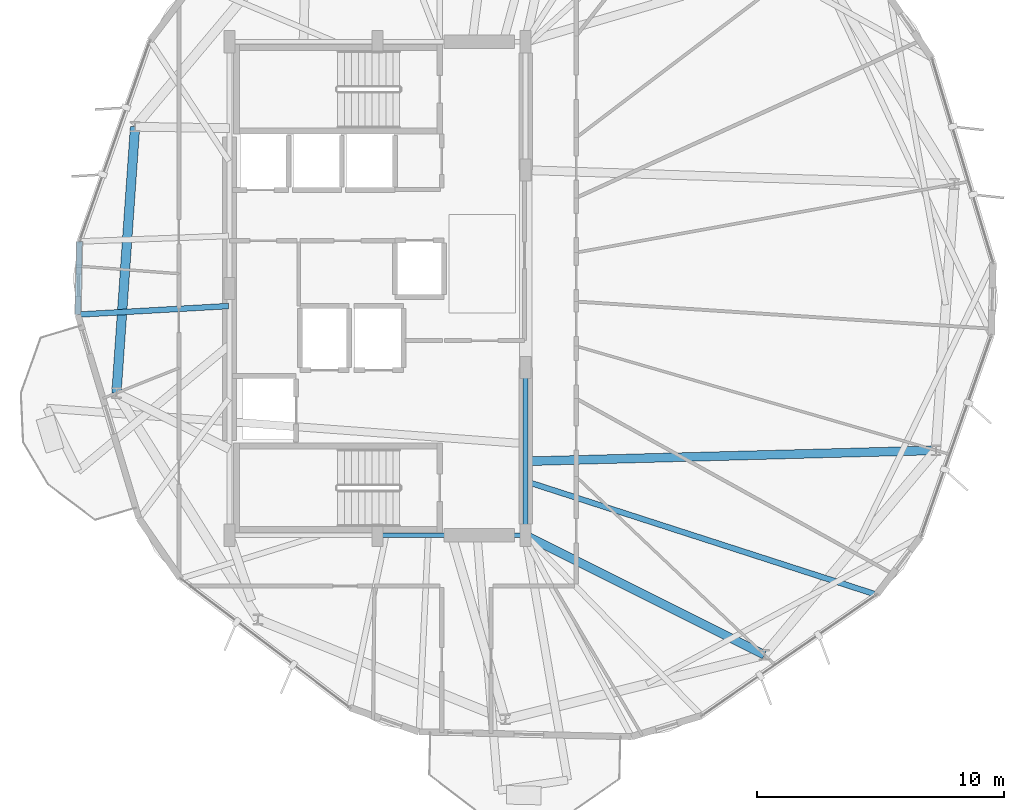
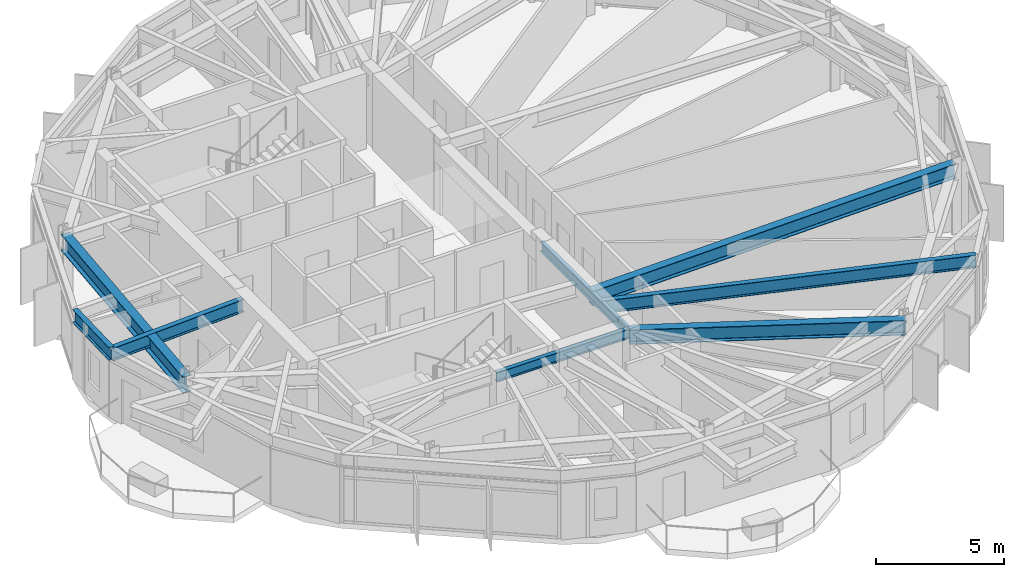
# One storey, part 5 of 22: 8 beams.
"""IFC4 building model written with IfcOpenShell, lengths in metres."""

from ifc_helpers import new_model, si_unit, direction, frame, origin, origin_2d, place, context, subcontext, project, spatial, i_section, extrude, material, material_profile, profile_set, type_object, element, save


model = new_model("IFC4")

# Units and contexts
model_context = context("Model", 3, precision=1e-05, world=origin(), true_north=direction((0.0, 1.0)))
body_context = subcontext(model_context, "Body", "Model", "MODEL_VIEW")
ifc_project = project(units=[si_unit("LENGTHUNIT", "METRE"), si_unit("AREAUNIT", "SQUARE_METRE"), si_unit("VOLUMEUNIT", "CUBIC_METRE"), si_unit("PLANEANGLEUNIT", "RADIAN"), si_unit("MASSUNIT", "GRAM", prefix="KILO")], contexts=[model_context])

# Site, building, storey
site_placement = place(None, origin())
site = spatial("IfcSite", under=ifc_project, at=site_placement, CompositionType="ELEMENT")
building_placement = place(site_placement, origin())
building = spatial("IfcBuilding", under=site, at=building_placement, Name="Soratama Intermodal Tower", CompositionType="ELEMENT")
storey_placement = place(building_placement, frame((0.0, 0.0, 160.60009765625)))
storey = spatial("IfcBuildingStorey", under=building, at=storey_placement, Name="L39", CompositionType="ELEMENT", Elevation=160.60009765625)

# Beams
ifc_material_1 = material(Name="Structural steel ASTM A992 Grade 50", Category="steel")
ifc_material_profile_1 = material_profile(ifc_material_1, i_section(OverallWidth=0.19091796875, OverallDepth=0.4599609375, WebThickness=0.010009765625, FlangeThickness=0.01611328125, FilletRadius=0.010986328125, at=origin_2d()), Name="W18X55")
ifc_profile_set_1 = profile_set([ifc_material_profile_1], Name="Structural steel ASTM A992 Grade 50")
beam_type_1 = type_object("IfcBeamType", Name="BM-FLR-W18X55", PredefinedType="BEAM", material=ifc_profile_set_1)
beam_1_placement = place(storey_placement, frame((38.60009765625, 15.0, 3.06982421875), z_axis=(1.0, 0.0, 0.0), x_axis=(0.0, 1.0, 0.0)))
element("IfcBeam", 1, at=beam_1_placement, inside=storey, type_object=beam_type_1, Name="BM-L39-CRING-02", PredefinedType="BEAM", context=body_context, shape_type="SweptSolid", body=[
    extrude(i_section(OverallWidth=0.19091796875, OverallDepth=0.4599609375, WebThickness=0.010009765625, FlangeThickness=0.01611328125, FilletRadius=0.010986328125, at=origin_2d()), origin(), (0.0, 0.0, 1.0), 6.0),
])
beam_2_placement = place(storey_placement, frame((44.60009765625, 15.0, 3.06982421875), z_axis=(0.0, 1.0, 0.0), x_axis=(-1.0, 0.0, 0.0)))
element("IfcBeam", 2, at=beam_2_placement, inside=storey, type_object=beam_type_1, Name="BM-L39-CRING-03", PredefinedType="BEAM", context=body_context, shape_type="SweptSolid", body=[
    extrude(i_section(OverallWidth=0.19091796875, OverallDepth=0.4599609375, WebThickness=0.010009765625, FlangeThickness=0.01611328125, FilletRadius=0.010986328125, at=origin_2d()), origin(), (0.0, 0.0, 1.0), 6.800048828125),
])
ifc_material_2 = material(Name="Structural steel ASTM A992 Grade 50", Category="steel")
ifc_material_profile_2 = material_profile(ifc_material_2, i_section(OverallWidth=0.35498046875, OverallDepth=0.695068359375, WebThickness=0.015380859375, FlangeThickness=0.02490234375, FilletRadius=0.01611328125, at=origin_2d()), Name="W27X146")
ifc_profile_set_2 = profile_set([ifc_material_profile_2], Name="Structural steel ASTM A992 Grade 50")
beam_type_2 = type_object("IfcBeamType", Name="BM-RING-W27X146", PredefinedType="BEAM", material=ifc_profile_set_2)
beam_3_placement = place(storey_placement, frame((44.60009765625, 15.0, 2.952392578125), z_axis=(0.894273669201, -0.447520507434, 0.0), x_axis=(0.447520507434, 0.894273669201, 0.0)))
element("IfcBeam", 3, at=beam_3_placement, inside=storey, type_object=beam_type_2, Name="BM-L39-RAD-09", PredefinedType="BEAM", context=body_context, shape_type="SweptSolid", body=[
    extrude(i_section(OverallWidth=0.35498046875, OverallDepth=0.695068359375, WebThickness=0.015380859375, FlangeThickness=0.02490234375, FilletRadius=0.01611328125, at=origin_2d()), origin(), (0.0, 0.0, 1.0), 10.817626953125),
])
beam_4_placement = place(storey_placement, frame((44.60009765625, 18.0, 2.952392578125), z_axis=(0.999643459503, 0.026701196077, 0.0), x_axis=(-0.026701196077, 0.999643459503, 0.0)))
element("IfcBeam", 4, at=beam_4_placement, inside=storey, type_object=beam_type_2, Name="BM-L39-RAD-10", PredefinedType="BEAM", context=body_context, shape_type="SweptSolid", body=[
    extrude(i_section(OverallWidth=0.35498046875, OverallDepth=0.695068359375, WebThickness=0.015380859375, FlangeThickness=0.02490234375, FilletRadius=0.01611328125, at=origin_2d()), origin(), (0.0, 0.0, 1.0), 16.6318359375),
])
ifc_material_3 = material(Name="Structural steel ASTM A992 Grade 50", Category="steel")
ifc_material_profile_3 = material_profile(ifc_material_3, i_section(OverallWidth=0.382080078125, OverallDepth=0.779052734375, WebThickness=0.01806640625, FlangeThickness=0.030029296875, FilletRadius=0.01806640625, at=origin_2d()), Name="W30X191")
ifc_profile_set_3 = profile_set([ifc_material_profile_3], Name="Structural steel ASTM A992 Grade 50")
beam_type_3 = type_object("IfcBeamType", Name="BM-RING-W30X191", PredefinedType="BEAM", material=ifc_profile_set_3)
beam_5_placement = place(storey_placement, frame((28.77392578125, 31.555908203125, 2.910400390625), z_axis=(-0.069702217409, -0.99756784275, 0.0), x_axis=(0.99756784275, -0.069702217409, 0.0)))
element("IfcBeam", 5, at=beam_5_placement, inside=storey, type_object=beam_type_3, Name="BM-L39-RING-05", PredefinedType="BEAM", context=body_context, shape_type="SweptSolid", body=[
    extrude(i_section(OverallWidth=0.382080078125, OverallDepth=0.779052734375, WebThickness=0.01806640625, FlangeThickness=0.030029296875, FilletRadius=0.01806640625, at=origin_2d()), origin(), (0.0, 0.0, 1.0), 10.816162109375),
])
ifc_material_4 = material(Name="Structural steel ASTM A992 Grade 50", Category="steel")
ifc_material_profile_4 = material_profile(ifc_material_4, i_section(OverallWidth=0.22900390625, OverallDepth=0.612060546875, WebThickness=0.011962890625, FlangeThickness=0.01953125, FilletRadius=0.012939453125, at=origin_2d()), Name="W24X84")
ifc_profile_set_4 = profile_set([ifc_material_profile_4], Name="Structural steel ASTM A992 Grade 50")
beam_type_4 = type_object("IfcBeamType", Name="BM-SPN-W24X84", PredefinedType="SPANDREL", material=ifc_profile_set_4)
beam_6_placement = place(storey_placement, frame((26.52392578125, 26.908935546875, 2.993896484375), z_axis=(-0.022885967291, -0.99973808195, 0.0), x_axis=(0.99973808195, -0.022885967291, 0.0)))
element("IfcBeam", 6, at=beam_6_placement, inside=storey, type_object=beam_type_4, Name="BS-L39-CRN04", PredefinedType="SPANDREL", context=body_context, shape_type="SweptSolid", body=[
    extrude(i_section(OverallWidth=0.22900390625, OverallDepth=0.612060546875, WebThickness=0.011962890625, FlangeThickness=0.01953125, FilletRadius=0.012939453125, at=origin_2d()), origin(), (0.0, 0.0, 1.0), 2.965576171875),
])
ifc_material_5 = material(Name="Structural steel ASTM A992 Grade 50", Category="steel")
ifc_material_profile_5 = material_profile(ifc_material_5, i_section(OverallWidth=0.22900390625, OverallDepth=0.612060546875, WebThickness=0.011962890625, FlangeThickness=0.01953125, FilletRadius=0.012939453125, at=origin_2d()), Name="W24X84")
ifc_profile_set_5 = profile_set([ifc_material_profile_5], Name="Structural steel ASTM A992 Grade 50")
beam_type_5 = type_object("IfcBeamType", Name="BM-TIE-W24X84", PredefinedType="BEAM", material=ifc_profile_set_5)
beam_7_placement = place(storey_placement, frame((32.56005859375, 24.291015625, 2.993896484375), z_axis=(-0.998388768117, -0.05674387807, 0.0), x_axis=(0.05674387807, -0.998388768117, 0.0)))
element("IfcBeam", 7, at=beam_7_placement, inside=storey, type_object=beam_type_5, Name="BM-L39-TIE0-05", PredefinedType="BEAM", context=body_context, shape_type="SweptSolid", body=[
    extrude(i_section(OverallWidth=0.22900390625, OverallDepth=0.612060546875, WebThickness=0.011962890625, FlangeThickness=0.01953125, FilletRadius=0.012939453125, at=origin_2d()), origin(), (0.0, 0.0, 1.0), 6.11376953125),
])
beam_8_placement = place(storey_placement, frame((44.637939453125, 17.177978515625, 2.993896484375), z_axis=(0.951580123449, -0.307400827351, 0.0), x_axis=(0.307400827351, 0.951580123449, 0.0)))
element("IfcBeam", 8, at=beam_8_placement, inside=storey, type_object=beam_type_5, Name="BM-L39-TIE1-08", PredefinedType="BEAM", context=body_context, shape_type="SweptSolid", body=[
    extrude(i_section(OverallWidth=0.22900390625, OverallDepth=0.612060546875, WebThickness=0.011962890625, FlangeThickness=0.01953125, FilletRadius=0.012939453125, at=origin_2d()), origin(), (0.0, 0.0, 1.0), 14.908935546875),
])

save(model, "model.ifc")
